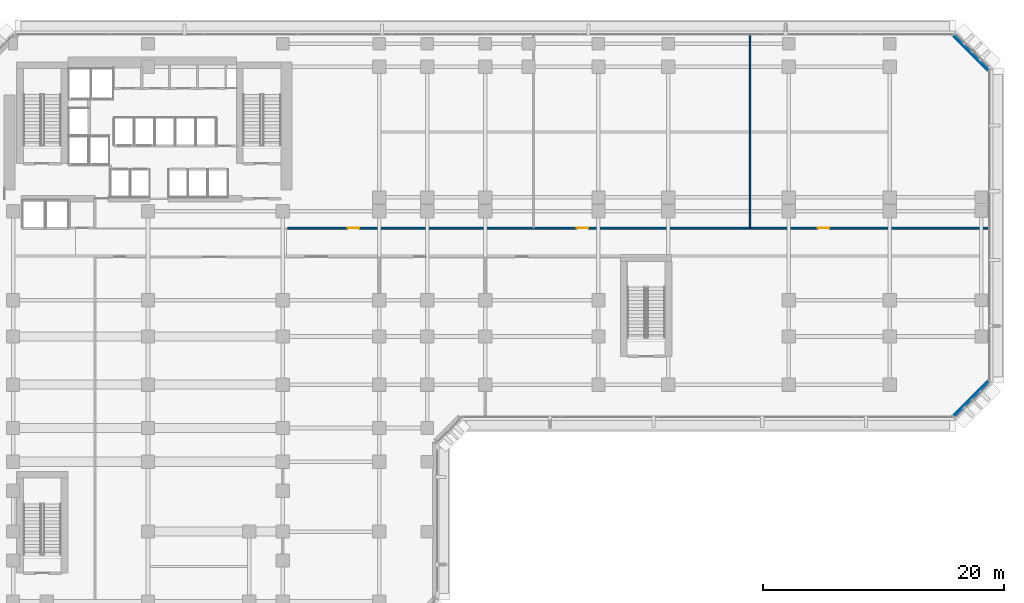
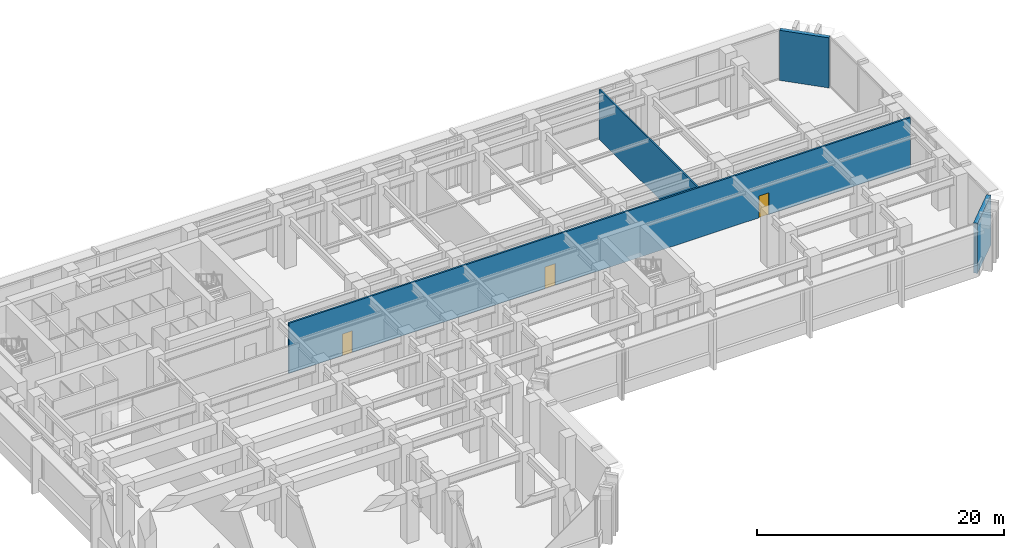
# One storey, part 11 of 20: 4 walls, 3 doors, 3 openings.
"""IFC4 building model written with IfcOpenShell, lengths in metres."""

from ifc_helpers import new_model, si_unit, direction, frame, frame_2d, origin, place, context, subcontext, project, spatial, rectangle, extrude, material, layer, layer_set, type_object, element, fill, save


model = new_model("IFC4")

# Units and contexts
model_context = context("Model", 3, precision=1e-05, world=origin(), true_north=direction((0.0, 1.0)))
body_context = subcontext(model_context, "Body", "Model", "MODEL_VIEW")
ifc_project = project(units=[si_unit("LENGTHUNIT", "METRE"), si_unit("AREAUNIT", "SQUARE_METRE"), si_unit("VOLUMEUNIT", "CUBIC_METRE"), si_unit("PLANEANGLEUNIT", "RADIAN"), si_unit("MASSUNIT", "GRAM", prefix="KILO")], contexts=[model_context])

# Site, building, storey
site_placement = place(None, origin())
site = spatial("IfcSite", under=ifc_project, at=site_placement, CompositionType="ELEMENT")
building_placement = place(site_placement, origin())
building = spatial("IfcBuilding", under=site, at=building_placement, Name="Kefirva Bronze Tower", CompositionType="ELEMENT")
storey_placement = place(building_placement, frame((0.0, 0.0, 5.93994140625)))
storey = spatial("IfcBuildingStorey", under=building, at=storey_placement, Name="L01", CompositionType="ELEMENT", Elevation=5.93994140625)

# Walls
ifc_material_1 = material(Name="Gypsum acoustic partition")
ifc_layer_1 = layer(ifc_material_1, 0.1298828125, Name="Gypsum acoustic partition")
ifc_layer_set_1 = layer_set([ifc_layer_1], Name="Gypsum acoustic partition")
wall_type_1 = type_object("IfcWallType", Name="Acoustic Office Partition 130mm", PredefinedType="PARTITIONING", material=ifc_layer_set_1)
wall_1_placement = place(storey_placement, frame((62.0, 31.800048828125, 0.0), z_axis=(0.0, 0.0, 1.0), x_axis=(0.0, 1.0, 0.0)))
element("IfcWall", 1, at=wall_1_placement, inside=storey, type_object=wall_type_1, Name="L01 Partition W-L01-NDV2", PredefinedType="PARTITIONING", context=body_context, shape_type="SweptSolid", body=[
    extrude(rectangle(XDim=16.010009765625, YDim=0.1298828125, at=frame_2d((8.0048828125, 0.0))), origin(), (0.0, 0.0, 1.0), 4.9599609375),
])
ifc_material_2 = material(Name="Precast concrete C40/50", Category="concrete")
ifc_layer_2 = layer(ifc_material_2, 0.360107421875, Name="Precast concrete C40/50")
ifc_layer_set_2 = layer_set([ifc_layer_2], Name="Precast concrete C40/50")
wall_type_2 = type_object("IfcWallType", Name="Precast Podium Facade Wall 360mm", PredefinedType="SOLIDWALL", material=ifc_layer_set_2)
for number, where, z_axis, x_axis, name in (
    (2, (78.91162109375, 16.166259765625, 0.0), (0.0, 0.0, 1.0), (0.707106781187, 0.707106781187, 0.0), "L01 Exterior Facade Wall 4"),
    (3, (81.833740234375, 44.91162109375, 0.0), (0.0, 0.0, 1.0), (-0.707106781187, 0.707106781187, 0.0), "L01 Exterior Facade Wall 5"),
):
    element("IfcWall", number, at=place(storey_placement, frame(where, z_axis=z_axis, x_axis=x_axis)), inside=storey, type_object=wall_type_2, Name=name, PredefinedType="SOLIDWALL", context=body_context, shape_type="SweptSolid", body=[
        extrude(rectangle(XDim=4.132568359375, YDim=0.360107421875, at=frame_2d((2.06640625, 0.0))), origin(), (0.0, 0.0, 1.0), 4.9599609375),
    ])

# Wall, openings, doors
ifc_layer_3 = layer(ifc_material_1, 0.159912109375, Name="Gypsum acoustic partition")
ifc_layer_set_3 = layer_set([ifc_layer_3], Name="Gypsum acoustic partition")
wall_type_3 = type_object("IfcWallType", Name="Protected Corridor Partition 160mm", PredefinedType="PARTITIONING", material=ifc_layer_set_3)
wall_2_placement = place(storey_placement, frame((23.60009765625, 31.800048828125, 0.0), z_axis=(0.0, 0.0, 1.0), x_axis=(1.0, 0.0, 0.0)))
wall_2 = element("IfcWall", 4, at=wall_2_placement, inside=storey, type_object=wall_type_3, Name="L01 Partition W-L01-N", PredefinedType="PARTITIONING", context=body_context, shape_type="SweptSolid", body=[
    extrude(rectangle(XDim=58.2099609375, YDim=0.159912109375, at=frame_2d((29.10498046875, 0.0))), origin(), (0.0, 0.0, 1.0), 4.9599609375),
])
opening_1_placement = place(wall_2_placement, frame((5.0, 0.0, 0.0)))
opening_1 = element("IfcOpeningElement", 5, at=opening_1_placement, cuts=wall_2, Name="Opening L01-D-04", PredefinedType="OPENING", context=body_context, shape_type="SweptSolid", body=[
    extrude(rectangle(XDim=0.949951171875, YDim=2.14990234375, at=frame_2d((0.47509765625, 1.074951171875))), frame((0.0, 0.08984375, 0.0), z_axis=(0.0, -1.0, 0.0), x_axis=(1.0, 0.0, 0.0)), (0.0, 0.0, 1.0), 0.179931640625),
])
opening_2_placement = place(wall_2_placement, frame((24.0, 0.0, 0.0)))
opening_2 = element("IfcOpeningElement", 6, at=opening_2_placement, cuts=wall_2, Name="Opening L01-D-05", PredefinedType="OPENING", context=body_context, shape_type="SweptSolid", body=[
    extrude(rectangle(XDim=0.949951171875, YDim=2.14990234375, at=frame_2d((0.47509765625, 1.074951171875))), frame((0.0, 0.08984375, 0.0), z_axis=(0.0, -1.0, 0.0), x_axis=(1.0, 0.0, 0.0)), (0.0, 0.0, 1.0), 0.179931640625),
])
opening_3_placement = place(wall_2_placement, frame((44.0, 0.0, 0.0)))
opening_3 = element("IfcOpeningElement", 7, at=opening_3_placement, cuts=wall_2, Name="Opening L01-D-06", PredefinedType="OPENING", context=body_context, shape_type="SweptSolid", body=[
    extrude(rectangle(XDim=0.949951171875, YDim=2.14990234375, at=frame_2d((0.47509765625, 1.074951171875))), frame((0.0, 0.08984375, 0.0), z_axis=(0.0, -1.0, 0.0), x_axis=(1.0, 0.0, 0.0)), (0.0, 0.0, 1.0), 0.179931640625),
])
ifc_material_3 = material(Name="Acoustic hardwood oak", Category="wood")
door_type = type_object("IfcDoorType", Name="Office & Meeting Room Door 950x2150", OperationType="NOTDEFINED", PredefinedType="DOOR", material=ifc_material_3)
door_1_placement = place(opening_1_placement, origin())
door_1 = element("IfcDoor", 8, at=door_1_placement, inside=storey, type_object=door_type, Name="Door L01-D-04", OperationType="SINGLE_SWING_RIGHT", OverallHeight=2.14990234375, OverallWidth=0.949951171875, PredefinedType="DOOR", context=body_context, shape_type="SweptSolid", body=[
    extrude(rectangle(XDim=0.949951171875, YDim=2.14990234375, at=frame_2d((0.47509765625, 1.074951171875))), frame((0.0, 0.02490234375, 0.0), z_axis=(0.0, -1.0, 0.0), x_axis=(1.0, 0.0, 0.0)), (0.0, 0.0, 1.0), 0.050048828125),
])
fill(opening_1, door_1)
door_2_placement = place(opening_2_placement, origin())
door_2 = element("IfcDoor", 9, at=door_2_placement, inside=storey, type_object=door_type, Name="Door L01-D-05", OperationType="SINGLE_SWING_LEFT", OverallHeight=2.14990234375, OverallWidth=0.949951171875, PredefinedType="DOOR", context=body_context, shape_type="SweptSolid", body=[
    extrude(rectangle(XDim=0.949951171875, YDim=2.14990234375, at=frame_2d((0.47509765625, 1.074951171875))), frame((0.0, 0.02490234375, 0.0), z_axis=(0.0, -1.0, 0.0), x_axis=(1.0, 0.0, 0.0)), (0.0, 0.0, 1.0), 0.050048828125),
])
fill(opening_2, door_2)
door_3_placement = place(opening_3_placement, origin())
door_3 = element("IfcDoor", 10, at=door_3_placement, inside=storey, type_object=door_type, Name="Door L01-D-06", OperationType="SINGLE_SWING_RIGHT", OverallHeight=2.14990234375, OverallWidth=0.949951171875, PredefinedType="DOOR", context=body_context, shape_type="SweptSolid", body=[
    extrude(rectangle(XDim=0.949951171875, YDim=2.14990234375, at=frame_2d((0.47509765625, 1.074951171875))), frame((0.0, 0.02490234375, 0.0), z_axis=(0.0, -1.0, 0.0), x_axis=(1.0, 0.0, 0.0)), (0.0, 0.0, 1.0), 0.050048828125),
])
fill(opening_3, door_3)

save(model, "model.ifc")
